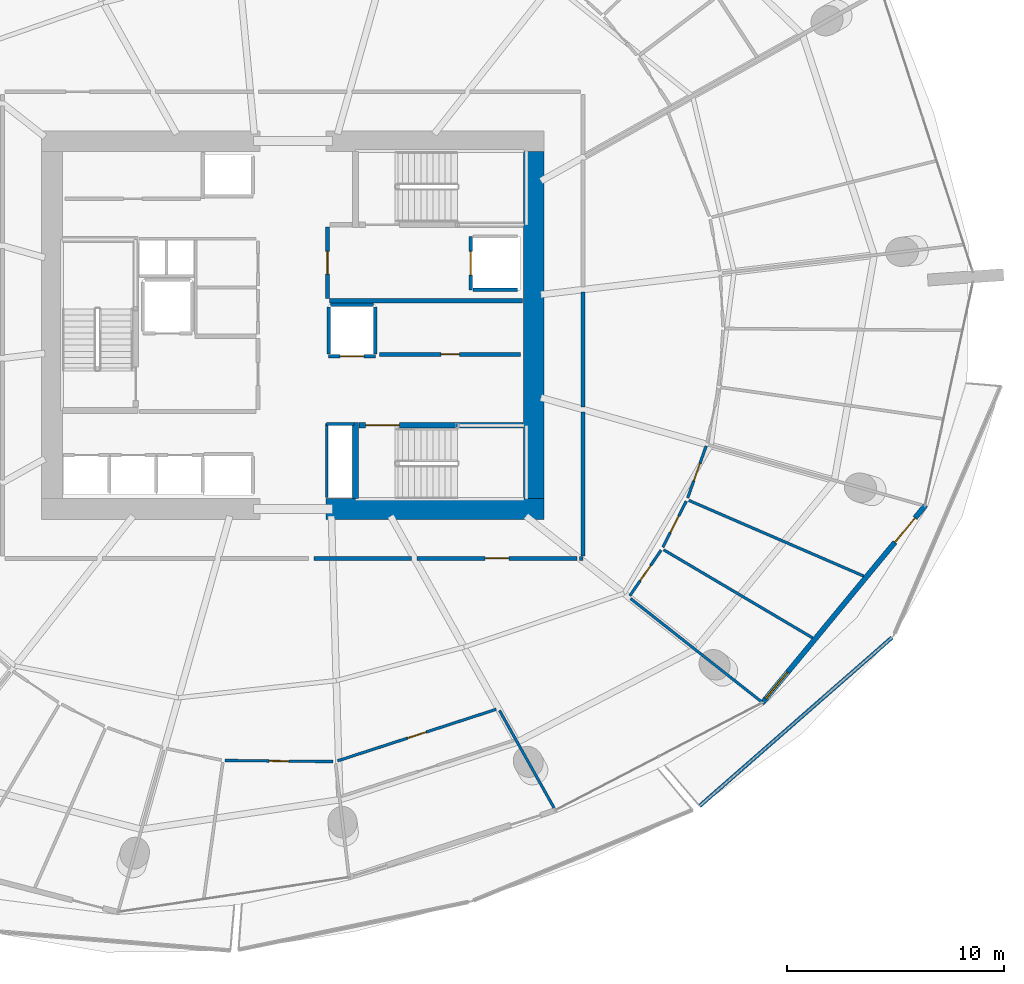
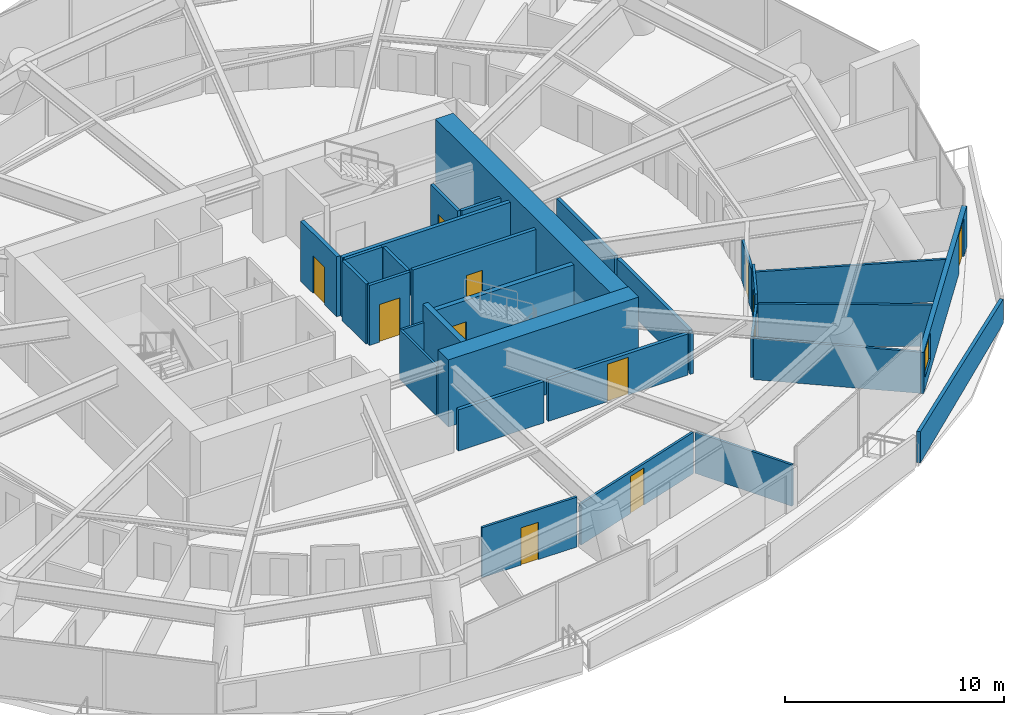
# One storey, part 20 of 31: 31 walls, 12 doors, 1 window, 13 openings.
"""IFC4 building model written with IfcOpenShell, lengths in metres."""

from ifc_helpers import new_model, si_unit, direction, frame, frame_2d, origin, place, context, subcontext, project, spatial, polyline, rectangle, outline, extrude, material, layer, layer_set, type_object, element, fill, save


model = new_model("IFC4")

# Units and contexts
model_context = context("Model", 3, precision=1e-05, world=origin(), true_north=direction((0.0, 1.0)))
body_context = subcontext(model_context, "Body", "Model", "MODEL_VIEW")
ifc_project = project(units=[si_unit("LENGTHUNIT", "METRE"), si_unit("AREAUNIT", "SQUARE_METRE"), si_unit("VOLUMEUNIT", "CUBIC_METRE"), si_unit("PLANEANGLEUNIT", "RADIAN"), si_unit("MASSUNIT", "GRAM", prefix="KILO")], contexts=[model_context])

# Site, building, storey
site_placement = place(None, origin())
site = spatial("IfcSite", under=ifc_project, at=site_placement, CompositionType="ELEMENT")
building_placement = place(site_placement, origin())
building = spatial("IfcBuilding", under=site, at=building_placement, Name="Kazma Halo Residences", CompositionType="ELEMENT")
storey_placement = place(building_placement, frame((0.0, 0.0, 71.39990234375)))
storey = spatial("IfcBuildingStorey", under=building, at=storey_placement, Name="L17", CompositionType="ELEMENT", Elevation=71.39990234375)

# Walls
ifc_material_1 = material(Name="White Concrete C50/60 Balustrade", Category="concrete")
ifc_layer_1 = layer(ifc_material_1, 0.179931640625)
ifc_layer_set_1 = layer_set([ifc_layer_1], Name="White Concrete C50/60 Balustrade")
wall_type_1 = type_object("IfcWallType", Name="WL-BAL-WAVE-180", PredefinedType="PARAPET", material=ifc_layer_set_1)
wall_1_placement = place(storey_placement, frame((67.162841796875, 19.8388671875, 0.0), z_axis=(0.0, 0.0, 1.0), x_axis=(0.752310783683, 0.658808382426, 0.0)))
element("IfcWall", 1, at=wall_1_placement, inside=storey, type_object=wall_type_1, Name="L17 white wave balustrade wall SE.1", PredefinedType="PARAPET", context=body_context, shape_type="SweptSolid", body=[
    extrude(outline(polyline([(0.0, 0.0), (11.77587890625, 0.0), (11.77587890625, 1.34814453125), (5.887939453125, 1.56201171875), (0.0, 1.7470703125), (0.0, 0.0)])), frame((0.0, 0.08984375, 0.0), z_axis=(0.0, -1.0, 0.0), x_axis=(1.0, 0.0, 0.0)), (0.0, 0.0, 1.0), 0.179931640625),
])
ifc_material_2 = material(Name="Concrete C80/95", Category="concrete")
ifc_layer_2 = layer(ifc_material_2, 0.949951171875)
ifc_layer_set_2 = layer_set([ifc_layer_2], Name="Concrete C80/95")
wall_type_2 = type_object("IfcWallType", Name="WL-CORE-950", PredefinedType="SHEAR", material=ifc_layer_set_2)
wall_2_placement = place(storey_placement, frame((49.949951171875, 33.52490234375, 0.0), z_axis=(0.0, 0.0, 1.0), x_axis=(1.0, 0.0, 0.0)))
element("IfcWall", 2, at=wall_2_placement, inside=storey, type_object=wall_type_2, Name="L17 central core shear wall SE", PredefinedType="SHEAR", context=body_context, shape_type="SweptSolid", body=[
    extrude(rectangle(XDim=10.050048828125, YDim=0.949951171875, at=frame_2d((5.02490234375, 0.0))), origin(), (0.0, 0.0, 1.0), 3.75),
])
wall_3_placement = place(storey_placement, frame((59.52490234375, 34.0, 0.0), z_axis=(0.0, 0.0, 1.0), x_axis=(0.0, 1.0, 0.0)))
element("IfcWall", 3, at=wall_3_placement, inside=storey, type_object=wall_type_2, Name="L17 central core shear wall E", PredefinedType="SHEAR", context=body_context, shape_type="SweptSolid", body=[
    extrude(rectangle(XDim=16.0, YDim=0.949951171875, at=frame_2d((8.0, 0.0))), origin(), (0.0, 0.0, 1.0), 3.75),
])
ifc_material_3 = material(Name="Concrete C60/75", Category="concrete")
ifc_layer_3 = layer(ifc_material_3, 0.280029296875)
ifc_layer_set_3 = layer_set([ifc_layer_3], Name="Concrete C60/75")
wall_type_3 = type_object("IfcWallType", Name="WL-CORE-ST-280", PredefinedType="SHEAR", material=ifc_layer_set_3)
wall_4_placement = place(storey_placement, frame((51.31005859375, 34.0, 0.0), z_axis=(0.0, 0.0, 1.0), x_axis=(0.0, 1.0, 0.0)))
element("IfcWall", 4, at=wall_4_placement, inside=storey, type_object=wall_type_3, Name="L17 stairwell bearing wall ST03-W", PredefinedType="SHEAR", context=body_context, shape_type="SweptSolid", body=[
    extrude(rectangle(XDim=3.5, YDim=0.280029296875, at=frame_2d((1.75, 0.0))), origin(), (0.0, 0.0, 1.0), 3.75),
])

# Wall, opening, door
ifc_material_4 = material(Name="Acoustic Twin-Stud Gypsum")
ifc_layer_4 = layer(ifc_material_4, 0.179931640625)
ifc_layer_set_4 = layer_set([ifc_layer_4], Name="Acoustic Twin-Stud Gypsum")
wall_type_4 = type_object("IfcWallType", Name="WL-DEM-180", PredefinedType="PARTITIONING", material=ifc_layer_set_4)
wall_5_placement = place(storey_placement, frame((54.140380859375, 31.25, 0.0), z_axis=(0.0, 0.0, 1.0), x_axis=(1.0, 0.0, 0.0)))
wall_5 = element("IfcWall", 5, at=wall_5_placement, inside=storey, type_object=wall_type_4, Name="L17 Apartment 2 entrance corridor wall", PredefinedType="PARTITIONING", context=body_context, shape_type="SweptSolid", body=[
    extrude(rectangle(XDim=7.3759765625, YDim=0.179931640625, at=frame_2d((3.68798828125, 0.0))), origin(), (0.0, 0.0, 1.0), 2.30712890625),
])
opening_1_placement = place(wall_5_placement, frame((3.137939453125, 0.0, 0.0)))
opening_1 = element("IfcOpeningElement", 6, at=opening_1_placement, cuts=wall_5, Name="Opening DA-1100", PredefinedType="OPENING", context=body_context, shape_type="SweptSolid", body=[
    extrude(rectangle(XDim=1.10009765625, YDim=2.10009765625, at=frame_2d((0.550048828125, 1.050048828125))), frame((0.0, 0.099853515625, 0.0), z_axis=(0.0, -1.0, 0.0), x_axis=(1.0, 0.0, 0.0)), (0.0, 0.0, 1.0), 0.199951171875),
])
ifc_material_5 = material(Name="Acoustic Walnut Fire Leaf")
door_type_1 = type_object("IfcDoorType", Name="DR-FD60-1100", OperationType="NOTDEFINED", PredefinedType="DOOR", material=ifc_material_5)
door_1_placement = place(opening_1_placement, origin())
door_1 = element("IfcDoor", 7, at=door_1_placement, inside=storey, type_object=door_type_1, Name="L17 Apartment 2 entrance fire door", OperationType="SINGLE_SWING_RIGHT", OverallHeight=2.10009765625, OverallWidth=1.10009765625, PredefinedType="DOOR", context=body_context, shape_type="SweptSolid", body=[
    extrude(rectangle(XDim=1.10009765625, YDim=2.10009765625, at=frame_2d((0.550048828125, 1.050048828125))), frame((0.0, 0.02490234375, 0.0), z_axis=(0.0, -1.0, 0.0), x_axis=(1.0, 0.0, 0.0)), (0.0, 0.0, 1.0), 0.050048828125),
])
fill(opening_1, door_1)

# Walls
wall_6_placement = place(storey_placement, frame((49.392333984375, 31.25, 0.0), z_axis=(0.0, 0.0, 1.0), x_axis=(1.0, 0.0, 0.0)))
element("IfcWall", 8, at=wall_6_placement, inside=storey, type_object=wall_type_4, Name="L17 Apartment 2 inner wall 11", PredefinedType="PARTITIONING", context=body_context, shape_type="SweptSolid", body=[
    extrude(rectangle(XDim=4.508056640625, YDim=0.179931640625, at=frame_2d((2.25390625, 0.0))), origin(), (0.0, 0.0, 1.0), 2.30712890625),
])
wall_7_placement = place(storey_placement, frame((61.63623046875, 31.25, 0.0), z_axis=(0.0, 0.0, 1.0), x_axis=(1.0, 0.0, 0.0)))
element("IfcWall", 9, at=wall_7_placement, inside=storey, type_object=wall_type_4, Name="L17 Apartment 2 inner wall 13", PredefinedType="PARTITIONING", context=body_context, shape_type="SweptSolid", body=[
    extrude(rectangle(XDim=0.163818359375, YDim=0.179931640625, at=frame_2d((0.08203125, 0.0))), origin(), (0.0, 0.0, 1.0), 2.30712890625),
])
wall_8_placement = place(storey_placement, frame((61.800048828125, 31.3701171875, 0.0), z_axis=(0.0, 0.0, 1.0), x_axis=(0.0, 1.0, 0.0)))
element("IfcWall", 10, at=wall_8_placement, inside=storey, type_object=wall_type_4, Name="L17 Apartment 2 inner wall 13", PredefinedType="PARTITIONING", context=body_context, shape_type="SweptSolid", body=[
    extrude(rectangle(XDim=6.617919921875, YDim=0.179931640625, at=frame_2d((3.30908203125, 0.0))), origin(), (0.0, 0.0, 1.0), 2.30712890625),
])
wall_9_placement = place(storey_placement, frame((61.800048828125, 38.22802734375, 0.0), z_axis=(0.0, 0.0, 1.0), x_axis=(0.0, 1.0, 0.0)))
element("IfcWall", 11, at=wall_9_placement, inside=storey, type_object=wall_type_4, Name="L17 Apartment 2 inner wall 14", PredefinedType="PARTITIONING", context=body_context, shape_type="SweptSolid", body=[
    extrude(rectangle(XDim=5.28515625, YDim=0.179931640625, at=frame_2d((2.642578125, 0.0))), origin(), (0.0, 0.0, 1.0), 2.30712890625),
])

# Wall, openings, door, window
ifc_material_6 = material(Name="Insulated Pale-Metal Composite Wall")
ifc_layer_5 = layer(ifc_material_6, 0.239990234375)
ifc_layer_set_5 = layer_set([ifc_layer_5], Name="Insulated Pale-Metal Composite Wall")
wall_type_5 = type_object("IfcWallType", Name="WL-EXT-HOST-240", PredefinedType="SOLIDWALL", material=ifc_layer_set_5)
wall_10_placement = place(storey_placement, frame((70.033203125, 24.566650390625, 0.0), z_axis=(0.0, 0.0, 1.0), x_axis=(0.636674332663, 0.771132799281, 0.0)))
wall_10 = element("IfcWall", 12, at=wall_10_placement, inside=storey, type_object=wall_type_5, Name="L17 exterior terrace-access wall B14", PredefinedType="SOLIDWALL", context=body_context, shape_type="SweptSolid", body=[
    extrude(rectangle(XDim=11.851318359375, YDim=0.239990234375, at=frame_2d((5.92578125, 0.0))), origin(), (0.0, 0.0, 1.0), 2.300048828125),
])
opening_2_placement = place(wall_10_placement, frame((9.631103515625, 0.0, 0.0)))
opening_2 = element("IfcOpeningElement", 13, at=opening_2_placement, cuts=wall_10, Name="Opening DTR-1600", PredefinedType="OPENING", context=body_context, shape_type="SweptSolid", body=[
    extrude(rectangle(XDim=1.449951171875, YDim=2.14990234375, at=frame_2d((0.72509765625, 1.074951171875))), frame((0.0, 0.1298828125, 0.0), z_axis=(0.0, -1.0, 0.0), x_axis=(1.0, 0.0, 0.0)), (0.0, 0.0, 1.0), 0.260009765625),
])
opening_3_placement = place(wall_10_placement, frame((0.280029296875, 0.0, 0.64990234375)))
opening_3 = element("IfcOpeningElement", 14, at=opening_3_placement, cuts=wall_10, Name="Opening W-1800", PredefinedType="OPENING", context=body_context, shape_type="SweptSolid", body=[
    extrude(rectangle(XDim=1.60009765625, YDim=1.5, at=frame_2d((0.800048828125, 0.75))), frame((0.0, 0.1298828125, 0.0), z_axis=(0.0, -1.0, 0.0), x_axis=(1.0, 0.0, 0.0)), (0.0, 0.0, 1.0), 0.260009765625),
])
ifc_material_7 = material(Name="Aluminium AW-6063 T6 Double-Glazed Terrace Door", Category="aluminium")
door_type_2 = type_object("IfcDoorType", Name="DR-EXT-TERR-1600", OperationType="NOTDEFINED", PredefinedType="DOOR", material=ifc_material_7)
door_2_placement = place(opening_2_placement, origin())
door_2 = element("IfcDoor", 15, at=door_2_placement, inside=storey, type_object=door_type_2, Name="L17 B14 balcony terrace door", OperationType="DOUBLE_DOOR_SLIDING", OverallHeight=2.14990234375, OverallWidth=1.449951171875, PredefinedType="DOOR", context=body_context, shape_type="SweptSolid", body=[
    extrude(rectangle(XDim=1.449951171875, YDim=2.14990234375, at=frame_2d((0.72509765625, 1.074951171875))), frame((0.0, 0.02490234375, 0.0), z_axis=(0.0, -1.0, 0.0), x_axis=(1.0, 0.0, 0.0)), (0.0, 0.0, 1.0), 0.050048828125),
])
fill(opening_2, door_2)
ifc_material_8 = material(Name="Clear Triple-Silver Low-E Glass in Aluminium AW-6063 T6 Frame", Category="aluminium")
window_type = type_object("IfcWindowType", Name="WIN-RES-1800", PartitioningType="DOUBLE_PANEL_VERTICAL", PredefinedType="WINDOW", material=ifc_material_8)
window_placement = place(opening_3_placement, origin())
window = element("IfcWindow", 16, at=window_placement, inside=storey, type_object=window_type, Name="L17 B14 apartment window", OverallHeight=1.5, OverallWidth=1.60009765625, PartitioningType="SINGLE_PANEL", PredefinedType="WINDOW", context=body_context, shape_type="SweptSolid", body=[
    extrude(rectangle(XDim=1.60009765625, YDim=1.5, at=frame_2d((0.800048828125, 0.75))), frame((0.0, 0.030029296875, 0.0), z_axis=(0.0, -1.0, 0.0), x_axis=(1.0, 0.0, 0.0)), (0.0, 0.0, 1.0), 0.06005859375),
])
fill(opening_3, window)

# Wall, opening, door
ifc_material_9 = material(Name="Fire-Rated Blockwork Masonry", Category="masonry")
ifc_layer_6 = layer(ifc_material_9, 0.199951171875)
ifc_layer_set_6 = layer_set([ifc_layer_6], Name="Fire-Rated Blockwork Masonry")
wall_type_6 = type_object("IfcWallType", Name="WL-FLB-200", PredefinedType="PARTITIONING", material=ifc_layer_set_6)
wall_11_placement = place(storey_placement, frame((56.6201171875, 46.080078125, 0.0), z_axis=(0.0, 0.0, 1.0), x_axis=(0.0, -1.0, 0.0)))
wall_11 = element("IfcWall", 17, at=wall_11_placement, inside=storey, type_object=wall_type_6, Name="L17 lift shaft FL-02 front wall", PredefinedType="PARTITIONING", context=body_context, shape_type="SweptSolid", body=[
    extrude(rectangle(XDim=2.4599609375, YDim=0.159912109375, at=frame_2d((1.22998046875, 0.0))), origin(), (0.0, 0.0, 1.0), 3.35009765625),
])
opening_4_placement = place(wall_11_placement, frame((0.679931640625, 0.0, 0.0)))
opening_4 = element("IfcOpeningElement", 18, at=opening_4_placement, cuts=wall_11, Name="Opening LD-FL-02", PredefinedType="OPENING", context=body_context, shape_type="SweptSolid", body=[
    extrude(rectangle(XDim=1.10009765625, YDim=2.10009765625, at=frame_2d((0.550048828125, 1.050048828125))), frame((0.0, 0.08984375, 0.0), z_axis=(0.0, -1.0, 0.0), x_axis=(1.0, 0.0, 0.0)), (0.0, 0.0, 1.0), 0.179931640625),
])
ifc_material_10 = material(Name="Stainless Steel Fire-Rated", Category="steel")
door_type_3 = type_object("IfcDoorType", Name="DR-LIFT-SLD-1100", OperationType="DOUBLE_DOOR_SLIDING", PredefinedType="DOOR", material=ifc_material_10)
door_3_placement = place(opening_4_placement, origin())
door_3 = element("IfcDoor", 19, at=door_3_placement, inside=storey, type_object=door_type_3, Name="L17 lift FL-02 sliding landing door", OperationType="DOUBLE_DOOR_SLIDING", OverallHeight=2.10009765625, OverallWidth=1.10009765625, PredefinedType="DOOR", context=body_context, shape_type="SweptSolid", body=[
    extrude(rectangle(XDim=1.10009765625, YDim=2.10009765625, at=frame_2d((0.550048828125, 1.050048828125))), frame((0.0, 0.02490234375, 0.0), z_axis=(0.0, -1.0, 0.0), x_axis=(1.0, 0.0, 0.0)), (0.0, 0.0, 1.0), 0.050048828125),
])
fill(opening_4, door_3)

# Wall
wall_12_placement = place(storey_placement, frame((56.719970703125, 43.6201171875, 0.0), z_axis=(0.0, 0.0, 1.0), x_axis=(1.0, 0.0, 0.0)))
element("IfcWall", 20, at=wall_12_placement, inside=storey, type_object=wall_type_6, Name="L17 lift shaft FL-02 side wall S", PredefinedType="PARTITIONING", context=body_context, shape_type="SweptSolid", body=[
    extrude(rectangle(XDim=2.06005859375, YDim=0.159912109375, at=frame_2d((1.030029296875, 0.0))), origin(), (0.0, 0.0, 1.0), 3.35009765625),
])

# Wall, opening, door
wall_13_placement = place(storey_placement, frame((52.22998046875, 40.570068359375, 0.0), z_axis=(0.0, 0.0, 1.0), x_axis=(-1.0, 0.0, 0.0)))
wall_13 = element("IfcWall", 21, at=wall_13_placement, inside=storey, type_object=wall_type_6, Name="L17 lift shaft SV-01 front wall", PredefinedType="PARTITIONING", context=body_context, shape_type="SweptSolid", body=[
    extrude(rectangle(XDim=2.159912109375, YDim=0.159912109375, at=frame_2d((1.080078125, 0.0))), origin(), (0.0, 0.0, 1.0), 3.35009765625),
])
opening_5_placement = place(wall_13_placement, frame((0.530029296875, 0.0, 0.0)))
opening_5 = element("IfcOpeningElement", 22, at=opening_5_placement, cuts=wall_13, Name="Opening LD-SV-01", PredefinedType="OPENING", context=body_context, shape_type="SweptSolid", body=[
    extrude(rectangle(XDim=1.10009765625, YDim=2.10009765625, at=frame_2d((0.550048828125, 1.050048828125))), frame((0.0, 0.08984375, 0.0), z_axis=(0.0, -1.0, 0.0), x_axis=(1.0, 0.0, 0.0)), (0.0, 0.0, 1.0), 0.179931640625),
])
door_4_placement = place(opening_5_placement, origin())
door_4 = element("IfcDoor", 23, at=door_4_placement, inside=storey, type_object=door_type_3, Name="L17 lift SV-01 sliding landing door", OperationType="DOUBLE_DOOR_SLIDING", OverallHeight=2.10009765625, OverallWidth=1.10009765625, PredefinedType="DOOR", context=body_context, shape_type="SweptSolid", body=[
    extrude(rectangle(XDim=1.10009765625, YDim=2.10009765625, at=frame_2d((0.550048828125, 1.050048828125))), frame((0.0, 0.02490234375, 0.0), z_axis=(0.0, -1.0, 0.0), x_axis=(1.0, 0.0, 0.0)), (0.0, 0.0, 1.0), 0.050048828125),
])
fill(opening_5, door_4)

# Walls
for number, where, z_axis, x_axis, name in (
    (24, (52.22998046875, 40.669921875, 0.0), (0.0, 0.0, 1.0), (0.0, 1.0, 0.0), "L17 lift shaft SV-01 side wall E"),
    (25, (50.070068359375, 40.669921875, 0.0), (0.0, 0.0, 1.0), (0.0, 1.0, 0.0), "L17 lift shaft SV-01 side wall W"),
):
    element("IfcWall", number, at=place(storey_placement, frame(where, z_axis=z_axis, x_axis=x_axis)), inside=storey, type_object=wall_type_6, Name=name, PredefinedType="PARTITIONING", context=body_context, shape_type="SweptSolid", body=[
        extrude(rectangle(XDim=2.16015625, YDim=0.159912109375, at=frame_2d((1.080078125, 0.0))), origin(), (0.0, 0.0, 1.0), 3.35009765625),
    ])
wall_14_placement = place(storey_placement, frame((50.169921875, 42.929931640625, 0.0), z_axis=(0.0, 0.0, 1.0), x_axis=(1.0, 0.0, 0.0)))
element("IfcWall", 26, at=wall_14_placement, inside=storey, type_object=wall_type_6, Name="L17 lift shaft SV-01 side wall N", PredefinedType="PARTITIONING", context=body_context, shape_type="SweptSolid", body=[
    extrude(rectangle(XDim=1.9599609375, YDim=0.159912109375, at=frame_2d((0.97998046875, 0.0))), origin(), (0.0, 0.0, 1.0), 3.35009765625),
])

# Wall, opening, door
wall_15_placement = place(storey_placement, frame((52.419921875, 40.64990234375, 0.0), z_axis=(0.0, 0.0, 1.0), x_axis=(1.0, 0.0, 0.0)))
wall_15 = element("IfcWall", 27, at=wall_15_placement, inside=storey, type_object=wall_type_6, Name="L17 core east reserve wall", PredefinedType="PARTITIONING", context=body_context, shape_type="SweptSolid", body=[
    extrude(rectangle(XDim=6.5, YDim=0.179931640625, at=frame_2d((3.25, 0.0))), origin(), (0.0, 0.0, 1.0), 3.35009765625),
])
opening_6_placement = place(wall_15_placement, frame((2.824951171875, 0.0, 0.0)))
opening_6 = element("IfcOpeningElement", 28, at=opening_6_placement, cuts=wall_15, Name="Opening DS-850", PredefinedType="OPENING", context=body_context, shape_type="SweptSolid", body=[
    extrude(rectangle(XDim=0.85009765625, YDim=2.06005859375, at=frame_2d((0.425048828125, 1.030029296875))), frame((0.0, 0.099853515625, 0.0), z_axis=(0.0, -1.0, 0.0), x_axis=(1.0, 0.0, 0.0)), (0.0, 0.0, 1.0), 0.199951171875),
])
ifc_material_11 = material(Name="Painted Steel Access Leaf", Category="steel")
door_type_4 = type_object("IfcDoorType", Name="DR-SVC-850", OperationType="NOTDEFINED", PredefinedType="DOOR", material=ifc_material_11)
door_5_placement = place(opening_6_placement, origin())
door_5 = element("IfcDoor", 29, at=door_5_placement, inside=storey, type_object=door_type_4, Name="L17 core east reserve door", OperationType="SINGLE_SWING_RIGHT", OverallHeight=2.06005859375, OverallWidth=0.85009765625, PredefinedType="DOOR", context=body_context, shape_type="SweptSolid", body=[
    extrude(rectangle(XDim=0.85009765625, YDim=2.06005859375, at=frame_2d((0.425048828125, 1.030029296875))), frame((0.0, 0.02490234375, 0.0), z_axis=(0.0, -1.0, 0.0), x_axis=(1.0, 0.0, 0.0)), (0.0, 0.0, 1.0), 0.050048828125),
])
fill(opening_6, door_5)

# Wall
wall_16_placement = place(storey_placement, frame((50.1201171875, 43.1201171875, 0.0), z_axis=(0.0, 0.0, 1.0), x_axis=(1.0, 0.0, 0.0)))
element("IfcWall", 30, at=wall_16_placement, inside=storey, type_object=wall_type_6, Name="L17 east firefighting lobby south smoke wall", PredefinedType="PARTITIONING", context=body_context, shape_type="SweptSolid", body=[
    extrude(rectangle(XDim=8.8798828125, YDim=0.199951171875, at=frame_2d((4.43994140625, 0.0))), origin(), (0.0, 0.0, 1.0), 3.35009765625),
])

# Wall, opening, door
wall_17_placement = place(storey_placement, frame((50.02001953125, 43.219970703125, 0.0), z_axis=(0.0, 0.0, 1.0), x_axis=(0.0, 1.0, 0.0)))
wall_17 = element("IfcWall", 31, at=wall_17_placement, inside=storey, type_object=wall_type_6, Name="L17 east firefighting lobby smoke wall", PredefinedType="PARTITIONING", context=body_context, shape_type="SweptSolid", body=[
    extrude(rectangle(XDim=3.300048828125, YDim=0.199951171875, at=frame_2d((1.64990234375, 0.0))), origin(), (0.0, 0.0, 1.0), 3.35009765625),
])
opening_7_placement = place(wall_17_placement, frame((1.125, 0.0, 0.0)))
opening_7 = element("IfcOpeningElement", 32, at=opening_7_placement, cuts=wall_17, Name="Opening D-FLE", PredefinedType="OPENING", context=body_context, shape_type="SweptSolid", body=[
    extrude(rectangle(XDim=1.050048828125, YDim=2.10009765625, at=frame_2d((0.52490234375, 1.050048828125))), frame((0.0, 0.10986328125, 0.0), z_axis=(0.0, -1.0, 0.0), x_axis=(1.0, 0.0, 0.0)), (0.0, 0.0, 1.0), 0.219970703125),
])
ifc_material_12 = material(Name="Fire-Rated Steel Leaf", Category="steel")
door_type_5 = type_object("IfcDoorType", Name="DR-FD90-1050", OperationType="NOTDEFINED", PredefinedType="DOOR", material=ifc_material_12)
door_6_placement = place(opening_7_placement, origin())
door_6 = element("IfcDoor", 33, at=door_6_placement, inside=storey, type_object=door_type_5, Name="L17 east firefighting lobby smoke door", OperationType="SINGLE_SWING_LEFT", OverallHeight=2.10009765625, OverallWidth=1.050048828125, PredefinedType="DOOR", context=body_context, shape_type="SweptSolid", body=[
    extrude(rectangle(XDim=1.050048828125, YDim=2.10009765625, at=frame_2d((0.52490234375, 1.050048828125))), frame((0.0, 0.02490234375, 0.0), z_axis=(0.0, -1.0, 0.0), x_axis=(1.0, 0.0, 0.0)), (0.0, 0.0, 1.0), 0.050048828125),
])
fill(opening_7, door_6)

# Walls
ifc_material_13 = material(Name="Gypsum Plasterboard Partition")
ifc_layer_7 = layer(ifc_material_13, 0.125)
ifc_layer_set_7 = layer_set([ifc_layer_7], Name="Gypsum Plasterboard Partition")
wall_type_7 = type_object("IfcWallType", Name="WL-PART-125", PredefinedType="PARTITIONING", material=ifc_layer_set_7)
wall_18_placement = place(storey_placement, frame((49.97998046875, 34.06005859375, 0.0), z_axis=(0.0, 0.0, 1.0), x_axis=(0.0, 1.0, 0.0)))
element("IfcWall", 34, at=wall_18_placement, inside=storey, type_object=wall_type_7, Name="L17 standpipe riser wall", PredefinedType="PARTITIONING", context=body_context, shape_type="SweptSolid", body=[
    extrude(rectangle(XDim=3.39990234375, YDim=0.125, at=frame_2d((1.699951171875, 0.0))), origin(), (0.0, 0.0, 1.0), 2.7900390625),
])
wall_19_placement = place(storey_placement, frame((49.97998046875, 37.43994140625, 0.0), z_axis=(0.0, 0.0, 1.0), x_axis=(1.0, 0.0, 0.0)))
element("IfcWall", 35, at=wall_19_placement, inside=storey, type_object=wall_type_7, Name="L17 standpipe riser north wall", PredefinedType="PARTITIONING", context=body_context, shape_type="SweptSolid", body=[
    extrude(rectangle(XDim=1.260009765625, YDim=0.125, at=frame_2d((0.6298828125, 0.0))), origin(), (0.0, 0.0, 1.0), 2.7900390625),
])

# Wall, opening, door
wall_20_placement = place(storey_placement, frame((45.289306640625, 21.939453125, 0.0), z_axis=(0.0, 0.0, 1.0), x_axis=(0.999947748737, -0.01022251416, 0.0)))
wall_20 = element("IfcWall", 36, at=wall_20_placement, inside=storey, type_object=wall_type_7, Name="L17 Apartment 2 Corner Formal Dining Room hall wall", PredefinedType="PARTITIONING", context=body_context, shape_type="SweptSolid", body=[
    extrude(rectangle(XDim=4.991455078125, YDim=0.125, at=frame_2d((2.49560546875, 0.0))), origin(), (0.0, 0.0, 1.0), 2.7900390625),
])
opening_8_placement = place(wall_20_placement, frame((2.045654296875, 0.0, 0.0)))
opening_8 = element("IfcOpeningElement", 37, at=opening_8_placement, cuts=wall_20, Name="Opening DI-950", PredefinedType="OPENING", context=body_context, shape_type="SweptSolid", body=[
    extrude(rectangle(XDim=0.89990234375, YDim=2.080078125, at=frame_2d((0.449951171875, 1.0400390625))), frame((0.0, 0.072509765625, 0.0), z_axis=(0.0, -1.0, 0.0), x_axis=(1.0, 0.0, 0.0)), (0.0, 0.0, 1.0), 0.14501953125),
])
ifc_material_14 = material(Name="Timber Veneer Flush Leaf", Category="wood")
door_type_6 = type_object("IfcDoorType", Name="DR-INT-950", OperationType="NOTDEFINED", PredefinedType="DOOR", material=ifc_material_14)
door_7_placement = place(opening_8_placement, origin())
door_7 = element("IfcDoor", 38, at=door_7_placement, inside=storey, type_object=door_type_6, Name="L17 Apartment 2 Corner Formal Dining Room door", OperationType="SINGLE_SWING_LEFT", OverallHeight=2.080078125, OverallWidth=0.89990234375, PredefinedType="DOOR", context=body_context, shape_type="SweptSolid", body=[
    extrude(rectangle(XDim=0.89990234375, YDim=2.080078125, at=frame_2d((0.449951171875, 1.0400390625))), frame((0.0, 0.02490234375, 0.0), z_axis=(0.0, -1.0, 0.0), x_axis=(1.0, 0.0, 0.0)), (0.0, 0.0, 1.0), 0.050048828125),
])
fill(opening_8, door_7)

# Wall
wall_21_placement = place(storey_placement, frame((57.94482421875, 24.2421875, 0.0), z_axis=(0.0, 0.0, 1.0), x_axis=(0.488630834306, -0.872490634772, 0.0)))
element("IfcWall", 39, at=wall_21_placement, inside=storey, type_object=wall_type_7, Name="L17 Apartment 2 living radial partition 11", PredefinedType="PARTITIONING", context=body_context, shape_type="SweptSolid", body=[
    extrude(rectangle(XDim=5.142822265625, YDim=0.125, at=frame_2d((2.5712890625, 0.0))), origin(), (0.0, 0.0, 1.0), 2.30712890625),
])

# Wall, opening, door
wall_22_placement = place(storey_placement, frame((50.485107421875, 21.92138671875, 0.0), z_axis=(0.0, 0.0, 1.0), x_axis=(0.951055318468, 0.309020680883, 0.0)))
wall_22 = element("IfcWall", 40, at=wall_22_placement, inside=storey, type_object=wall_type_7, Name="L17 Apartment 2 Garden Study hall wall", PredefinedType="PARTITIONING", context=body_context, shape_type="SweptSolid", body=[
    extrude(rectangle(XDim=7.682373046875, YDim=0.125, at=frame_2d((3.84130859375, 0.0))), origin(), (0.0, 0.0, 1.0), 2.30712890625),
])
opening_9_placement = place(wall_22_placement, frame((3.39111328125, 0.0, 0.0)))
opening_9 = element("IfcOpeningElement", 41, at=opening_9_placement, cuts=wall_22, Name="Opening DI-950", PredefinedType="OPENING", context=body_context, shape_type="SweptSolid", body=[
    extrude(rectangle(XDim=0.89990234375, YDim=2.080078125, at=frame_2d((0.449951171875, 1.0400390625))), frame((0.0, 0.072509765625, 0.0), z_axis=(0.0, -1.0, 0.0), x_axis=(1.0, 0.0, 0.0)), (0.0, 0.0, 1.0), 0.14501953125),
])
door_8_placement = place(opening_9_placement, origin())
door_8 = element("IfcDoor", 42, at=door_8_placement, inside=storey, type_object=door_type_6, Name="L17 Apartment 2 Garden Study door", OperationType="SINGLE_SWING_LEFT", OverallHeight=2.080078125, OverallWidth=0.89990234375, PredefinedType="DOOR", context=body_context, shape_type="SweptSolid", body=[
    extrude(rectangle(XDim=0.89990234375, YDim=2.080078125, at=frame_2d((0.449951171875, 1.0400390625))), frame((0.0, 0.02490234375, 0.0), z_axis=(0.0, -1.0, 0.0), x_axis=(1.0, 0.0, 0.0)), (0.0, 0.0, 1.0), 0.050048828125),
])
fill(opening_9, door_8)

# Walls
wall_23_placement = place(storey_placement, frame((63.9833984375, 29.399658203125, 0.0), z_axis=(0.0, 0.0, 1.0), x_axis=(0.785322984339, -0.619086270457, 0.0)))
element("IfcWall", 43, at=wall_23_placement, inside=storey, type_object=wall_type_7, Name="L17 Apartment 2 radial partition 13", PredefinedType="PARTITIONING", context=body_context, shape_type="SweptSolid", body=[
    extrude(rectangle(XDim=7.71923828125, YDim=0.125, at=frame_2d((3.859619140625, 0.0))), origin(), (0.0, 0.0, 1.0), 2.30712890625),
])
wall_24_placement = place(storey_placement, frame((65.510009765625, 31.64453125, 0.0), z_axis=(0.0, 0.0, 1.0), x_axis=(0.86074163886, -0.509042072065, 0.0)))
element("IfcWall", 44, at=wall_24_placement, inside=storey, type_object=wall_type_7, Name="L17 Apartment 2 bay wall 1 13", PredefinedType="PARTITIONING", context=body_context, shape_type="SweptSolid", body=[
    extrude(rectangle(XDim=7.9677734375, YDim=0.125, at=frame_2d((3.98388671875, 0.0))), origin(), (0.0, 0.0, 1.0), 2.3251953125),
])
wall_25_placement = place(storey_placement, frame((66.669921875, 33.9208984375, 0.0), z_axis=(0.0, 0.0, 1.0), x_axis=(0.917747697885, -0.397163899451, 0.0)))
element("IfcWall", 45, at=wall_25_placement, inside=storey, type_object=wall_type_7, Name="L17 Apartment 2 bay wall 2 13", PredefinedType="PARTITIONING", context=body_context, shape_type="SweptSolid", body=[
    extrude(rectangle(XDim=8.77490234375, YDim=0.125, at=frame_2d((4.387451171875, 0.0))), origin(), (0.0, 0.0, 1.0), 2.3251953125),
])

# Wall, opening, door
wall_26_placement = place(storey_placement, frame((63.9501953125, 29.527587890625, 0.0), z_axis=(0.0, 0.0, 1.0), x_axis=(0.565358509176, 0.824845292223, 0.0)))
wall_26 = element("IfcWall", 46, at=wall_26_placement, inside=storey, type_object=wall_type_7, Name="L17 Apartment 2 Secondary Bedroom hall wall", PredefinedType="PARTITIONING", context=body_context, shape_type="SweptSolid", body=[
    extrude(rectangle(XDim=2.542236328125, YDim=0.125, at=frame_2d((1.27099609375, 0.0))), origin(), (0.0, 0.0, 1.0), 2.30712890625),
])
opening_10_placement = place(wall_26_placement, frame((0.84619140625, 0.0, 0.0)))
opening_10 = element("IfcOpeningElement", 47, at=opening_10_placement, cuts=wall_26, Name="Opening DB-900", PredefinedType="OPENING", context=body_context, shape_type="SweptSolid", body=[
    extrude(rectangle(XDim=0.85009765625, YDim=2.06005859375, at=frame_2d((0.425048828125, 1.030029296875))), frame((0.0, 0.072509765625, 0.0), z_axis=(0.0, -1.0, 0.0), x_axis=(1.0, 0.0, 0.0)), (0.0, 0.0, 1.0), 0.14501953125),
])
ifc_material_15 = material(Name="Moisture-Sealed Timber Leaf", Category="wood")
door_type_7 = type_object("IfcDoorType", Name="DR-BTH-900", OperationType="NOTDEFINED", PredefinedType="DOOR", material=ifc_material_15)
door_9_placement = place(opening_10_placement, origin())
door_9 = element("IfcDoor", 48, at=door_9_placement, inside=storey, type_object=door_type_7, Name="L17 Apartment 2 Secondary Bedroom door", OperationType="SINGLE_SWING_RIGHT", OverallHeight=2.06005859375, OverallWidth=0.85009765625, PredefinedType="DOOR", context=body_context, shape_type="SweptSolid", body=[
    extrude(rectangle(XDim=0.85009765625, YDim=2.06005859375, at=frame_2d((0.425048828125, 1.030029296875))), frame((0.0, 0.02490234375, 0.0), z_axis=(0.0, -1.0, 0.0), x_axis=(1.0, 0.0, 0.0)), (0.0, 0.0, 1.0), 0.050048828125),
])
fill(opening_10, door_9)

wall_27_placement = place(storey_placement, frame((65.468994140625, 31.76171875, 0.0), z_axis=(0.0, 0.0, 1.0), x_axis=(0.45400250644, 0.891000406367, 0.0)))
wall_27 = element("IfcWall", 49, at=wall_27_placement, inside=storey, type_object=wall_type_7, Name="L17 Apartment 2 East Study hall wall", PredefinedType="PARTITIONING", context=body_context, shape_type="SweptSolid", body=[
    extrude(rectangle(XDim=2.38330078125, YDim=0.125, at=frame_2d((1.191650390625, 0.0))), origin(), (0.0, 0.0, 1.0), 2.7900390625),
])
opening_11_placement = place(wall_27_placement, frame((0.7666015625, 0.0, 0.0)))
opening_11 = element("IfcOpeningElement", 50, at=opening_11_placement, cuts=wall_27, Name="Opening DB-900", PredefinedType="OPENING", context=body_context, shape_type="SweptSolid", body=[
    extrude(rectangle(XDim=0.85009765625, YDim=2.06005859375, at=frame_2d((0.425048828125, 1.030029296875))), frame((0.0, 0.072509765625, 0.0), z_axis=(0.0, -1.0, 0.0), x_axis=(1.0, 0.0, 0.0)), (0.0, 0.0, 1.0), 0.14501953125),
])
door_10_placement = place(opening_11_placement, origin())
door_10 = element("IfcDoor", 51, at=door_10_placement, inside=storey, type_object=door_type_7, Name="L17 Apartment 2 East Study door", OperationType="SINGLE_SWING_LEFT", OverallHeight=2.06005859375, OverallWidth=0.85009765625, PredefinedType="DOOR", context=body_context, shape_type="SweptSolid", body=[
    extrude(rectangle(XDim=0.85009765625, YDim=2.06005859375, at=frame_2d((0.425048828125, 1.030029296875))), frame((0.0, 0.02490234375, 0.0), z_axis=(0.0, -1.0, 0.0), x_axis=(1.0, 0.0, 0.0)), (0.0, 0.0, 1.0), 0.050048828125),
])
fill(opening_11, door_10)

wall_28_placement = place(storey_placement, frame((66.614013671875, 34.031982421875, 0.0), z_axis=(0.0, 0.0, 1.0), x_axis=(0.335094930465, 0.942184370268, 0.0)))
wall_28 = element("IfcWall", 52, at=wall_28_placement, inside=storey, type_object=wall_type_7, Name="L17 Apartment 2 West Bedroom hall wall", PredefinedType="PARTITIONING", context=body_context, shape_type="SweptSolid", body=[
    extrude(rectangle(XDim=2.5419921875, YDim=0.125, at=frame_2d((1.27099609375, 0.0))), origin(), (0.0, 0.0, 1.0), 2.30712890625),
])
opening_12_placement = place(wall_28_placement, frame((0.845947265625, 0.0, 0.0)))
opening_12 = element("IfcOpeningElement", 53, at=opening_12_placement, cuts=wall_28, Name="Opening DB-900", PredefinedType="OPENING", context=body_context, shape_type="SweptSolid", body=[
    extrude(rectangle(XDim=0.85009765625, YDim=2.06005859375, at=frame_2d((0.425048828125, 1.030029296875))), frame((0.0, 0.072509765625, 0.0), z_axis=(0.0, -1.0, 0.0), x_axis=(1.0, 0.0, 0.0)), (0.0, 0.0, 1.0), 0.14501953125),
])
door_11_placement = place(opening_12_placement, origin())
door_11 = element("IfcDoor", 54, at=door_11_placement, inside=storey, type_object=door_type_7, Name="L17 Apartment 2 West Bedroom door", OperationType="SINGLE_SWING_RIGHT", OverallHeight=2.06005859375, OverallWidth=0.85009765625, PredefinedType="DOOR", context=body_context, shape_type="SweptSolid", body=[
    extrude(rectangle(XDim=0.85009765625, YDim=2.06005859375, at=frame_2d((0.425048828125, 1.030029296875))), frame((0.0, 0.02490234375, 0.0), z_axis=(0.0, -1.0, 0.0), x_axis=(1.0, 0.0, 0.0)), (0.0, 0.0, 1.0), 0.050048828125),
])
fill(opening_12, door_11)

ifc_material_16 = material(Name="Concrete C50/60", Category="concrete")
ifc_layer_8 = layer(ifc_material_16, 0.25)
ifc_layer_set_8 = layer_set([ifc_layer_8], Name="Concrete C50/60")
wall_type_8 = type_object("IfcWallType", Name="WL-SHF-250", PredefinedType="SOLIDWALL", material=ifc_layer_set_8)
wall_29_placement = place(storey_placement, frame((51.47998046875, 37.3798828125, 0.0), z_axis=(0.0, 0.0, 1.0), x_axis=(1.0, 0.0, 0.0)))
wall_29 = element("IfcWall", 55, at=wall_29_placement, inside=storey, type_object=wall_type_8, Name="L17 exit stair ST-03 enclosure wall", PredefinedType="SOLIDWALL", context=body_context, shape_type="SweptSolid", body=[
    extrude(rectangle(XDim=7.5400390625, YDim=0.25, at=frame_2d((3.77001953125, 0.0))), origin(), (0.0, 0.0, 1.0), 3.35009765625),
])
opening_13_placement = place(wall_29_placement, frame((0.300048828125, 0.0, 0.0)))
opening_13 = element("IfcOpeningElement", 56, at=opening_13_placement, cuts=wall_29, Name="Opening D-ST3", PredefinedType="OPENING", context=body_context, shape_type="SweptSolid", body=[
    extrude(rectangle(XDim=1.550048828125, YDim=2.14990234375, at=frame_2d((0.77490234375, 1.074951171875))), frame((0.0, 0.135009765625, 0.0), z_axis=(0.0, -1.0, 0.0), x_axis=(1.0, 0.0, 0.0)), (0.0, 0.0, 1.0), 0.27001953125),
])
ifc_material_17 = material(Name="Fire-Rated Double Steel Leaf", Category="steel")
door_type_8 = type_object("IfcDoorType", Name="DR-FD90-1550", OperationType="NOTDEFINED", PredefinedType="DOOR", material=ifc_material_17)
door_12_placement = place(opening_13_placement, origin())
door_12 = element("IfcDoor", 57, at=door_12_placement, inside=storey, type_object=door_type_8, Name="L17 exit stair ST-03 fire door", OperationType="DOUBLE_DOOR_SINGLE_SWING", OverallHeight=2.14990234375, OverallWidth=1.550048828125, PredefinedType="DOOR", context=body_context, shape_type="SweptSolid", body=[
    extrude(rectangle(XDim=1.550048828125, YDim=2.14990234375, at=frame_2d((0.77490234375, 1.074951171875))), frame((0.0, 0.02490234375, 0.0), z_axis=(0.0, -1.0, 0.0), x_axis=(1.0, 0.0, 0.0)), (0.0, 0.0, 1.0), 0.050048828125),
])
fill(opening_13, door_12)

save(model, "model.ifc")
